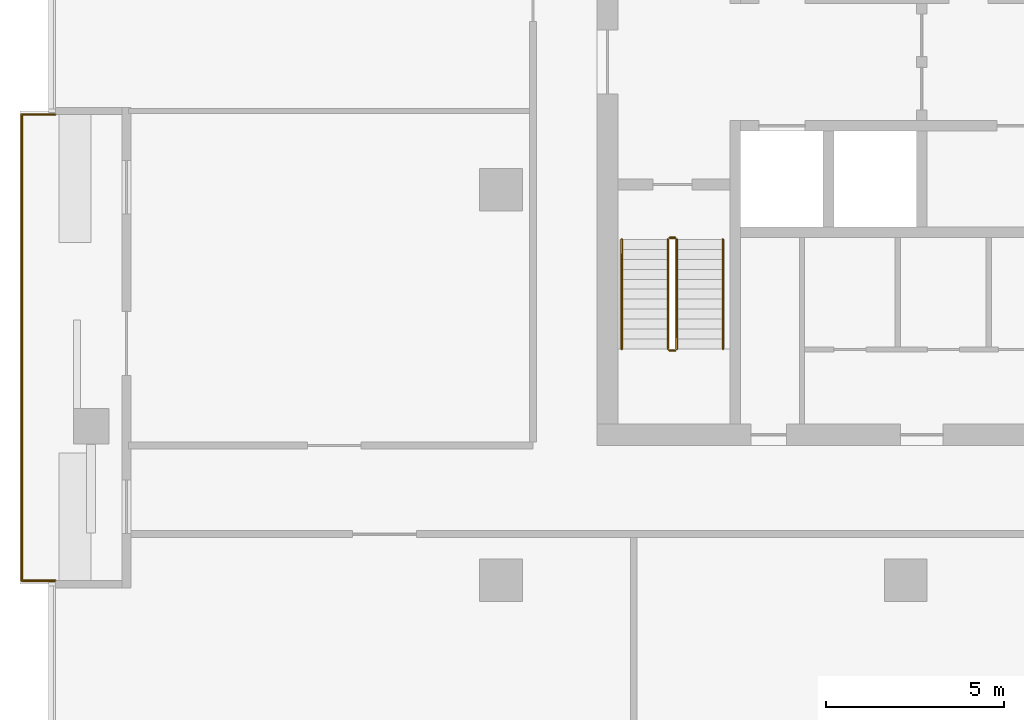
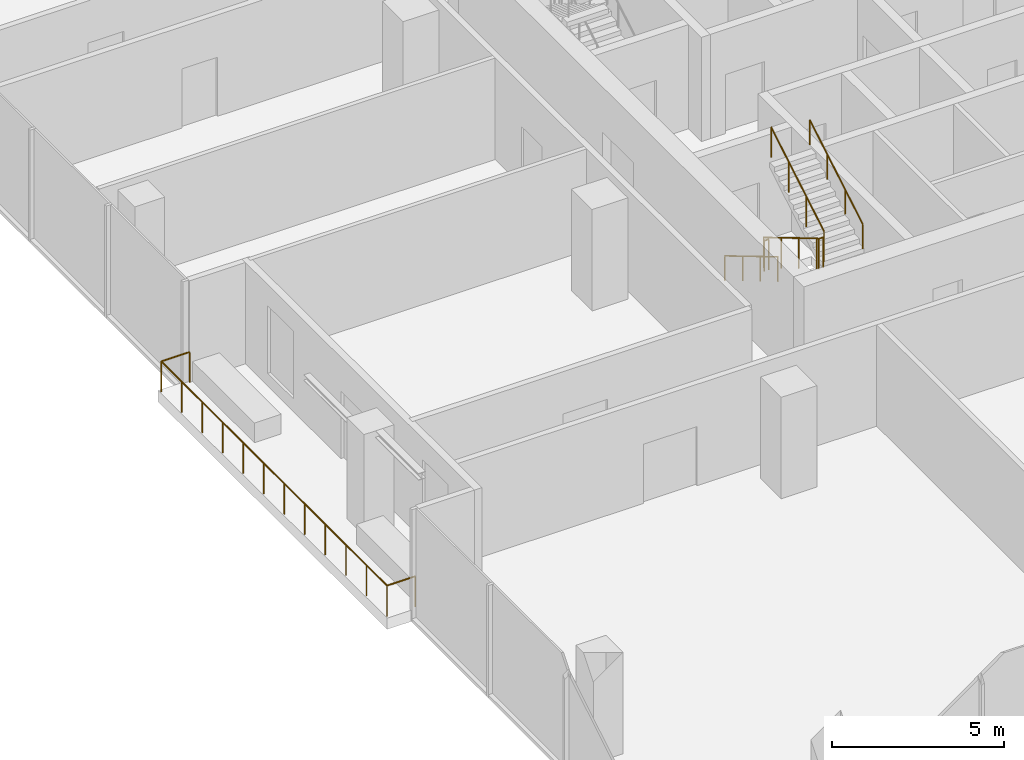
# One storey, part 11 of 13: 6 railings.
"""IFC4 building model written with IfcOpenShell, lengths in metres."""

from ifc_helpers import new_model, si_unit, direction, frame, origin, origin_2d, place, context, subcontext, project, spatial, circle, extrude, material, type_object, element, save


model = new_model("IFC4")

# Units and contexts
model_context = context("Model", 3, precision=1e-05, world=origin(), true_north=direction((0.0, 1.0)))
body_context = subcontext(model_context, "Body", "Model", "MODEL_VIEW")
ifc_project = project(units=[si_unit("LENGTHUNIT", "METRE"), si_unit("AREAUNIT", "SQUARE_METRE"), si_unit("VOLUMEUNIT", "CUBIC_METRE"), si_unit("PLANEANGLEUNIT", "RADIAN"), si_unit("MASSUNIT", "GRAM", prefix="KILO")], contexts=[model_context])

# Site, building, storey
site_placement = place(None, origin())
site = spatial("IfcSite", under=ifc_project, at=site_placement, CompositionType="ELEMENT")
building_placement = place(site_placement, origin())
building = spatial("IfcBuilding", under=site, at=building_placement, Name="Mopane Tessera Tower", CompositionType="ELEMENT")
storey_placement = place(building_placement, frame((0.0, 0.0, 271.39990234375)))
storey = spatial("IfcBuildingStorey", under=building, at=storey_placement, Name="L58", CompositionType="ELEMENT", Elevation=271.39990234375)

# Railings
ifc_material_1 = material(Name="Powder-coated steel balustrade", Category="steel")
railing_type_1 = type_object("IfcRailingType", Name="Escape stair guard 1100 mm", PredefinedType="GUARDRAIL", material=ifc_material_1)
railing_1_placement = place(storey_placement, frame((-12.39990234375, -1.39990234375, 0.166748046875)))
element("IfcRailing", 1, at=railing_1_placement, inside=storey, type_object=railing_type_1, Name="L58 ST1 stair guard 1", PredefinedType="GUARDRAIL", context=body_context, shape_type="SweptSolid", body=[
    extrude(circle(Radius=0.02392578125, at=origin_2d()), frame((0.0, 0.0, 1.076171875), z_axis=(0.0, -0.859308565015, 0.511457515432), x_axis=(1.0, 0.0, 0.0)), (0.0, 0.0, 1.0), 3.58447265625),
    extrude(circle(Radius=0.02392578125, at=origin_2d()), frame((0.0, -3.080078125, 2.9091796875), z_axis=(0.705375805398, -0.708833529934, 0.0), x_axis=(0.708833529934, 0.705375805398, 0.0)), (0.0, 0.0, 1.0), 0.070556640625),
    extrude(circle(Radius=0.02392578125, at=origin_2d()), frame((0.0498046875, -3.130126953125, 2.9091796875), z_axis=(1.0, 0.0, 0.0), x_axis=(0.0, 1.0, 0.0)), (0.0, 0.0, 1.0), 0.150146484375),
    extrude(circle(Radius=0.02099609375, at=origin_2d()), origin(), (0.0, 0.0, 1.0), 1.052001953125),
    extrude(circle(Radius=0.02099609375, at=origin_2d()), frame((0.0, -1.026611328125, 0.611083984375)), (0.0, 0.0, 1.0), 1.052001953125),
    extrude(circle(Radius=0.02099609375, at=origin_2d()), frame((0.0, -2.053466796875, 1.22216796875)), (0.0, 0.0, 1.0), 1.052001953125),
    extrude(circle(Radius=0.02099609375, at=origin_2d()), frame((0.0, -3.080078125, 1.833251953125)), (0.0, 0.0, 1.0), 1.052001953125),
    extrude(circle(Radius=0.02099609375, at=origin_2d()), frame((0.0498046875, -3.130126953125, 1.833251953125)), (0.0, 0.0, 1.0), 1.052001953125),
    extrude(circle(Radius=0.02099609375, at=origin_2d()), frame((0.199951171875, -3.130126953125, 1.833251953125)), (0.0, 0.0, 1.0), 1.052001953125),
])
railing_2_placement = place(storey_placement, frame((-12.14990234375, -4.47998046875, 2.166748046875)))
element("IfcRailing", 2, at=railing_2_placement, inside=storey, type_object=railing_type_1, Name="L58 ST1 stair guard 2", PredefinedType="GUARDRAIL", context=body_context, shape_type="SweptSolid", body=[
    extrude(circle(Radius=0.02392578125, at=origin_2d()), frame((0.0, 0.0, 1.076171875), z_axis=(0.0, 0.859308565015, 0.511457515432), x_axis=(-1.0, 0.0, 0.0)), (0.0, 0.0, 1.0), 3.58447265625),
    extrude(circle(Radius=0.02099609375, at=origin_2d()), origin(), (0.0, 0.0, 1.0), 1.052001953125),
    extrude(circle(Radius=0.02099609375, at=origin_2d()), frame((0.0, 1.026611328125, 0.611083984375)), (0.0, 0.0, 1.0), 1.052001953125),
    extrude(circle(Radius=0.02099609375, at=origin_2d()), frame((0.0, 2.053466796875, 1.22216796875)), (0.0, 0.0, 1.0), 1.052001953125),
    extrude(circle(Radius=0.02099609375, at=origin_2d()), frame((0.0, 3.080078125, 1.833251953125)), (0.0, 0.0, 1.0), 1.052001953125),
])
railing_3_placement = place(storey_placement, frame((-12.35009765625, -1.35009765625, 0.0)))
element("IfcRailing", 3, at=railing_3_placement, inside=storey, type_object=railing_type_1, Name="L58 ST1 stair guard 3", PredefinedType="GUARDRAIL", context=body_context, shape_type="SweptSolid", body=[
    extrude(circle(Radius=0.02392578125, at=origin_2d()), frame((0.0, 0.0, 1.076171875), z_axis=(1.0, 0.0, 0.0), x_axis=(0.0, 1.0, 0.0)), (0.0, 0.0, 1.0), 0.150146484375),
    extrude(circle(Radius=0.02099609375, at=origin_2d()), origin(), (0.0, 0.0, 1.0), 1.052001953125),
    extrude(circle(Radius=0.02099609375, at=origin_2d()), frame((0.150146484375, 0.0, 0.0)), (0.0, 0.0, 1.0), 1.052001953125),
])
ifc_material_2 = material(Name="Powder-coated steel balustrade", Category="steel")
railing_type_2 = type_object("IfcRailingType", Name="Escape stair handrail 900 mm", PredefinedType="HANDRAIL", material=ifc_material_2)
railing_4_placement = place(storey_placement, frame((-13.699951171875, -1.39990234375, 0.166748046875)))
element("IfcRailing", 4, at=railing_4_placement, inside=storey, type_object=railing_type_2, Name="L58 ST1 stair handrail 1", PredefinedType="HANDRAIL", context=body_context, shape_type="SweptSolid", body=[
    extrude(circle(Radius=0.02392578125, at=origin_2d()), frame((0.0, 0.0, 0.8759765625), z_axis=(0.0, -0.859308565015, 0.511457515432), x_axis=(1.0, 0.0, 0.0)), (0.0, 0.0, 1.0), 3.58447265625),
    extrude(circle(Radius=0.02099609375, at=origin_2d()), origin(), (0.0, 0.0, 1.0), 0.851806640625),
    extrude(circle(Radius=0.02099609375, at=origin_2d()), frame((0.0, -1.026611328125, 0.611083984375)), (0.0, 0.0, 1.0), 0.851806640625),
    extrude(circle(Radius=0.02099609375, at=origin_2d()), frame((0.0, -2.053466796875, 1.22216796875)), (0.0, 0.0, 1.0), 0.851806640625),
    extrude(circle(Radius=0.02099609375, at=origin_2d()), frame((0.0, -3.080078125, 1.833251953125)), (0.0, 0.0, 1.0), 0.851806640625),
])
railing_5_placement = place(storey_placement, frame((-10.85009765625, -4.47998046875, 2.166748046875)))
element("IfcRailing", 5, at=railing_5_placement, inside=storey, type_object=railing_type_2, Name="L58 ST1 stair handrail 2", PredefinedType="HANDRAIL", context=body_context, shape_type="SweptSolid", body=[
    extrude(circle(Radius=0.02392578125, at=origin_2d()), frame((0.0, 0.0, 0.8759765625), z_axis=(0.0, 0.859308565015, 0.511457515432), x_axis=(-1.0, 0.0, 0.0)), (0.0, 0.0, 1.0), 3.58447265625),
    extrude(circle(Radius=0.02099609375, at=origin_2d()), origin(), (0.0, 0.0, 1.0), 0.851806640625),
    extrude(circle(Radius=0.02099609375, at=origin_2d()), frame((0.0, 1.026611328125, 0.611083984375)), (0.0, 0.0, 1.0), 0.851806640625),
    extrude(circle(Radius=0.02099609375, at=origin_2d()), frame((0.0, 2.053466796875, 1.22216796875)), (0.0, 0.0, 1.0), 0.851806640625),
    extrude(circle(Radius=0.02099609375, at=origin_2d()), frame((0.0, 3.080078125, 1.833251953125)), (0.0, 0.0, 1.0), 0.851806640625),
])
ifc_material_3 = material(Name="Stainless steel S316", Category="steel")
railing_type_3 = type_object("IfcRailingType", Name="Terrace guard 1100", PredefinedType="GUARDRAIL", material=ifc_material_3)
railing_6_placement = place(storey_placement, frame((-29.64990234375, 2.122314453125, 0.0)))
element("IfcRailing", 6, at=railing_6_placement, inside=storey, type_object=railing_type_3, Name="e:nw:L58:N3:guard", PredefinedType="GUARDRAIL", context=body_context, shape_type="SweptSolid", body=[
    extrude(circle(Radius=0.02392578125, at=origin_2d()), frame((0.0, 0.0, 1.076171875), z_axis=(-1.0, 0.0, 0.0), x_axis=(0.0, -1.0, 0.0)), (0.0, 0.0, 1.0), 0.9501953125),
    extrude(circle(Radius=0.02392578125, at=origin_2d()), frame((-0.9501953125, 0.0, 1.076171875), z_axis=(0.0, -1.0, 0.0), x_axis=(1.0, 0.0, 0.0)), (0.0, 0.0, 1.0), 13.133544921875),
    extrude(circle(Radius=0.02392578125, at=origin_2d()), frame((-0.9501953125, -13.133544921875, 1.076171875), z_axis=(1.0, 0.0, 0.0), x_axis=(0.0, 1.0, 0.0)), (0.0, 0.0, 1.0), 0.9501953125),
    extrude(circle(Radius=0.02099609375, at=origin_2d()), origin(), (0.0, 0.0, 1.0), 1.052001953125),
    extrude(circle(Radius=0.02099609375, at=origin_2d()), frame((-0.9501953125, 0.0, 0.0)), (0.0, 0.0, 1.0), 1.052001953125),
    extrude(circle(Radius=0.02099609375, at=origin_2d()), frame((-0.9501953125, -1.19384765625, 0.0)), (0.0, 0.0, 1.0), 1.052001953125),
    extrude(circle(Radius=0.02099609375, at=origin_2d()), frame((-0.9501953125, -2.387939453125, 0.0)), (0.0, 0.0, 1.0), 1.052001953125),
    extrude(circle(Radius=0.02099609375, at=origin_2d()), frame((-0.9501953125, -3.581787109375, 0.0)), (0.0, 0.0, 1.0), 1.052001953125),
    extrude(circle(Radius=0.02099609375, at=origin_2d()), frame((-0.9501953125, -4.77587890625, 0.0)), (0.0, 0.0, 1.0), 1.052001953125),
    extrude(circle(Radius=0.02099609375, at=origin_2d()), frame((-0.9501953125, -5.9697265625, 0.0)), (0.0, 0.0, 1.0), 1.052001953125),
    extrude(circle(Radius=0.02099609375, at=origin_2d()), frame((-0.9501953125, -7.163818359375, 0.0)), (0.0, 0.0, 1.0), 1.052001953125),
    extrude(circle(Radius=0.02099609375, at=origin_2d()), frame((-0.9501953125, -8.357666015625, 0.0)), (0.0, 0.0, 1.0), 1.052001953125),
    extrude(circle(Radius=0.02099609375, at=origin_2d()), frame((-0.9501953125, -9.5517578125, 0.0)), (0.0, 0.0, 1.0), 1.052001953125),
    extrude(circle(Radius=0.02099609375, at=origin_2d()), frame((-0.9501953125, -10.74560546875, 0.0)), (0.0, 0.0, 1.0), 1.052001953125),
    extrude(circle(Radius=0.02099609375, at=origin_2d()), frame((-0.9501953125, -11.939697265625, 0.0)), (0.0, 0.0, 1.0), 1.052001953125),
    extrude(circle(Radius=0.02099609375, at=origin_2d()), frame((-0.9501953125, -13.133544921875, 0.0)), (0.0, 0.0, 1.0), 1.052001953125),
    extrude(circle(Radius=0.02099609375, at=origin_2d()), frame((0.0, -13.133544921875, 0.0)), (0.0, 0.0, 1.0), 1.052001953125),
])

save(model, "model.ifc")
